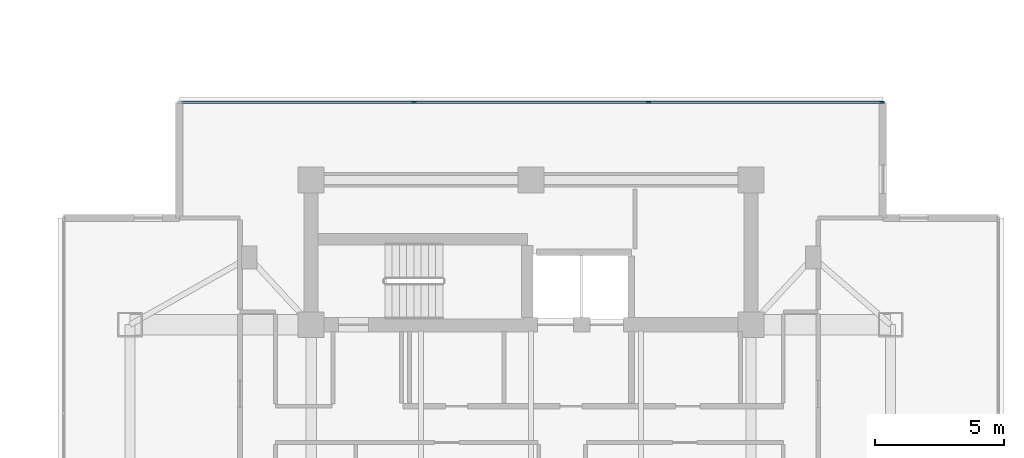
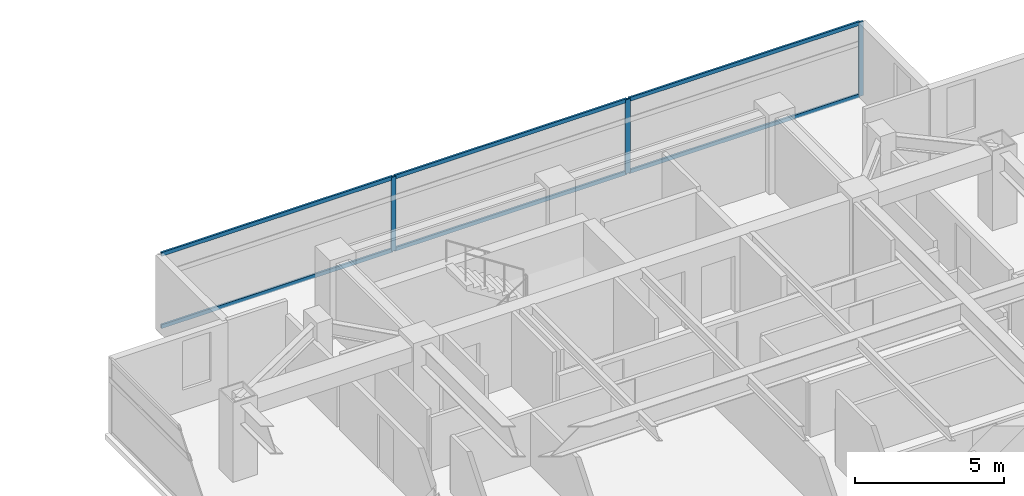
# One storey, part 10 of 25: 9 members, 1 element without a shape of its own.
"""IFC4 building model written with IfcOpenShell, lengths in metres."""

from ifc_helpers import new_model, si_unit, direction, frame, origin, origin_2d, place, context, subcontext, project, spatial, rectangle, extrude, material, material_profile, profile_set, type_object, element, aggregate, save


model = new_model("IFC4")

# Units and contexts
model_context = context("Model", 3, precision=1e-05, world=origin(), true_north=direction((0.0, 1.0)))
body_context = subcontext(model_context, "Body", "Model", "MODEL_VIEW")
ifc_project = project(units=[si_unit("LENGTHUNIT", "METRE"), si_unit("AREAUNIT", "SQUARE_METRE"), si_unit("VOLUMEUNIT", "CUBIC_METRE"), si_unit("PLANEANGLEUNIT", "RADIAN"), si_unit("MASSUNIT", "GRAM", prefix="KILO")], contexts=[model_context])

# Site, building, storey
site_placement = place(None, origin())
site = spatial("IfcSite", under=ifc_project, at=site_placement, CompositionType="ELEMENT")
building_placement = place(site_placement, origin())
building = spatial("IfcBuilding", under=site, at=building_placement, Name="Mirazonda Arch Towers", CompositionType="ELEMENT")
storey_placement = place(building_placement, frame((0.0, 0.0, 173.89990234375)))
storey = spatial("IfcBuildingStorey", under=building, at=storey_placement, Name="L49", CompositionType="ELEMENT", Elevation=173.89990234375)

# Curtain wall, members
ifc_material_1 = material(Name="Anodised Aluminium and Low-E Glass", Category="aluminium")
curtain_wall_type = type_object("IfcCurtainWallType", Name="CW-RES-UNIT", PredefinedType="NOTDEFINED", material=ifc_material_1)
curtain_wall_placement = place(storey_placement, origin())
curtain_wall = element("IfcCurtainWall", 1, at=curtain_wall_placement, inside=storey, type_object=curtain_wall_type, Name="L49 T2 N Facade CW-L49-T2-N", PredefinedType="NOTDEFINED")
ifc_material_2 = material(Name="Anodised Aluminium Alloy", Category="aluminium")
ifc_material_profile_1 = material_profile(ifc_material_2, rectangle(XDim=0.074951171875, YDim=0.175048828125, at=origin_2d()), Name="ALU-MULL-75x175")
ifc_profile_set_1 = profile_set([ifc_material_profile_1], Name="Anodised Aluminium Alloy")
member_type_1 = type_object("IfcMemberType", Name="MULL-CW-RES-UNIT", PredefinedType="MULLION", material=ifc_profile_set_1)
member_1_placement = place(storey_placement, frame((71.96826171875, 43.791259765625, 0.0), z_axis=(0.0, 0.0, 1.0), x_axis=(0.0, 1.0, 0.0)))
member_1 = element("IfcMember", 2, at=member_1_placement, type_object=member_type_1, Name="CW-104 mullion 2", PredefinedType="MULLION", context=body_context, shape_type="SweptSolid", body=[
    extrude(rectangle(XDim=0.074951171875, YDim=0.175048828125, at=origin_2d()), origin(), (0.0, 0.0, 1.0), 3.030029296875),
])
member_2_placement = place(storey_placement, frame((81.03173828125, 43.791259765625, 0.0), z_axis=(0.0, 0.0, 1.0), x_axis=(0.0, 1.0, 0.0)))
member_2 = element("IfcMember", 3, at=member_2_placement, type_object=member_type_1, Name="CW-104 mullion 3", PredefinedType="MULLION", context=body_context, shape_type="SweptSolid", body=[
    extrude(rectangle(XDim=0.074951171875, YDim=0.175048828125, at=origin_2d()), origin(), (0.0, 0.0, 1.0), 3.030029296875),
])
member_3_placement = place(storey_placement, frame((90.057861328125, 43.791259765625, 0.0), z_axis=(0.0, 0.0, 1.0), x_axis=(0.0, 1.0, 0.0)))
member_3 = element("IfcMember", 4, at=member_3_placement, type_object=member_type_1, Name="CW-104 mullion 4", PredefinedType="MULLION", context=body_context, shape_type="SweptSolid", body=[
    extrude(rectangle(XDim=0.074951171875, YDim=0.175048828125, at=origin_2d()), origin(), (0.0, 0.0, 1.0), 3.030029296875),
])
ifc_material_profile_2 = material_profile(ifc_material_2, rectangle(XDim=0.074951171875, YDim=0.155029296875, at=origin_2d()), Name="ALU-TRAN-75x155")
ifc_profile_set_2 = profile_set([ifc_material_profile_2], Name="Anodised Aluminium Alloy")
member_type_2 = type_object("IfcMemberType", Name="TRAN-CW-RES-UNIT", PredefinedType="USERDEFINED", material=ifc_profile_set_2)
member_4_placement = place(storey_placement, frame((62.979736328125, 43.791259765625, 0.03759765625), z_axis=(1.0, 0.0, 0.0), x_axis=(0.0, 1.0, 0.0)))
member_4 = element("IfcMember", 5, at=member_4_placement, type_object=member_type_2, Name="CW-104 transom 1.1", ObjectType="TRANSOM", PredefinedType="USERDEFINED", context=body_context, shape_type="SweptSolid", body=[
    extrude(rectangle(XDim=0.074951171875, YDim=0.155029296875, at=origin_2d()), origin(), (0.0, 0.0, 1.0), 8.950927734375),
])
member_5_placement = place(storey_placement, frame((62.979736328125, 43.791259765625, 2.99267578125), z_axis=(1.0, 0.0, 0.0), x_axis=(0.0, 1.0, 0.0)))
member_5 = element("IfcMember", 6, at=member_5_placement, type_object=member_type_2, Name="CW-104 transom 1.2", ObjectType="TRANSOM", PredefinedType="USERDEFINED", context=body_context, shape_type="SweptSolid", body=[
    extrude(rectangle(XDim=0.074951171875, YDim=0.155029296875, at=origin_2d()), origin(), (0.0, 0.0, 1.0), 8.950927734375),
])
member_6_placement = place(storey_placement, frame((72.005615234375, 43.791259765625, 0.03759765625), z_axis=(1.0, 0.0, 0.0), x_axis=(0.0, 1.0, 0.0)))
member_6 = element("IfcMember", 7, at=member_6_placement, type_object=member_type_2, Name="CW-104 transom 2.1", ObjectType="TRANSOM", PredefinedType="USERDEFINED", context=body_context, shape_type="SweptSolid", body=[
    extrude(rectangle(XDim=0.074951171875, YDim=0.155029296875, at=origin_2d()), origin(), (0.0, 0.0, 1.0), 8.98876953125),
])
member_7_placement = place(storey_placement, frame((72.005615234375, 43.791259765625, 2.99267578125), z_axis=(1.0, 0.0, 0.0), x_axis=(0.0, 1.0, 0.0)))
member_7 = element("IfcMember", 8, at=member_7_placement, type_object=member_type_2, Name="CW-104 transom 2.2", ObjectType="TRANSOM", PredefinedType="USERDEFINED", context=body_context, shape_type="SweptSolid", body=[
    extrude(rectangle(XDim=0.074951171875, YDim=0.155029296875, at=origin_2d()), origin(), (0.0, 0.0, 1.0), 8.98876953125),
])
member_8_placement = place(storey_placement, frame((81.0693359375, 43.791259765625, 0.03759765625), z_axis=(1.0, 0.0, 0.0), x_axis=(0.0, 1.0, 0.0)))
member_8 = element("IfcMember", 9, at=member_8_placement, type_object=member_type_2, Name="CW-104 transom 3.1", ObjectType="TRANSOM", PredefinedType="USERDEFINED", context=body_context, shape_type="SweptSolid", body=[
    extrude(rectangle(XDim=0.074951171875, YDim=0.155029296875, at=origin_2d()), origin(), (0.0, 0.0, 1.0), 8.950927734375),
])
member_9_placement = place(storey_placement, frame((81.0693359375, 43.791259765625, 2.99267578125), z_axis=(1.0, 0.0, 0.0), x_axis=(0.0, 1.0, 0.0)))
member_9 = element("IfcMember", 10, at=member_9_placement, type_object=member_type_2, Name="CW-104 transom 3.2", ObjectType="TRANSOM", PredefinedType="USERDEFINED", context=body_context, shape_type="SweptSolid", body=[
    extrude(rectangle(XDim=0.074951171875, YDim=0.155029296875, at=origin_2d()), origin(), (0.0, 0.0, 1.0), 8.950927734375),
])
aggregate(curtain_wall, [member_1, member_2, member_3, member_4, member_5, member_6, member_7, member_8, member_9])

save(model, "model.ifc")
